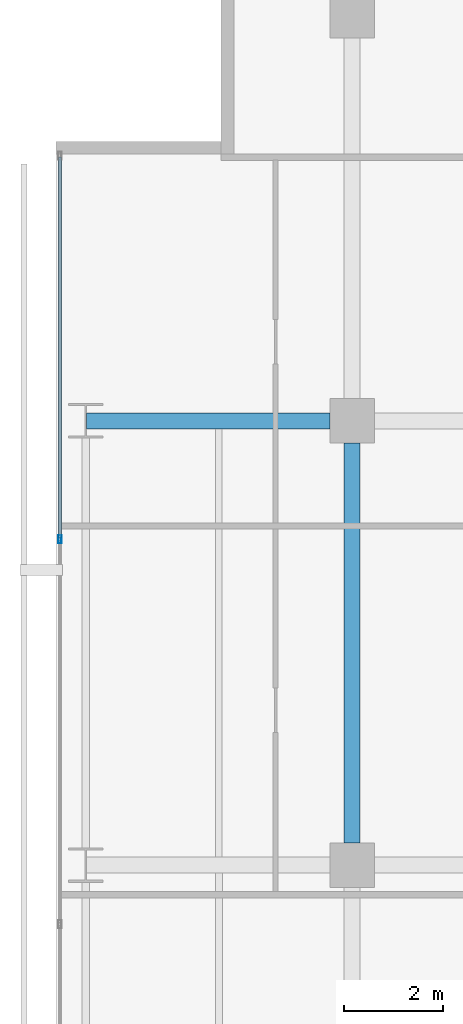
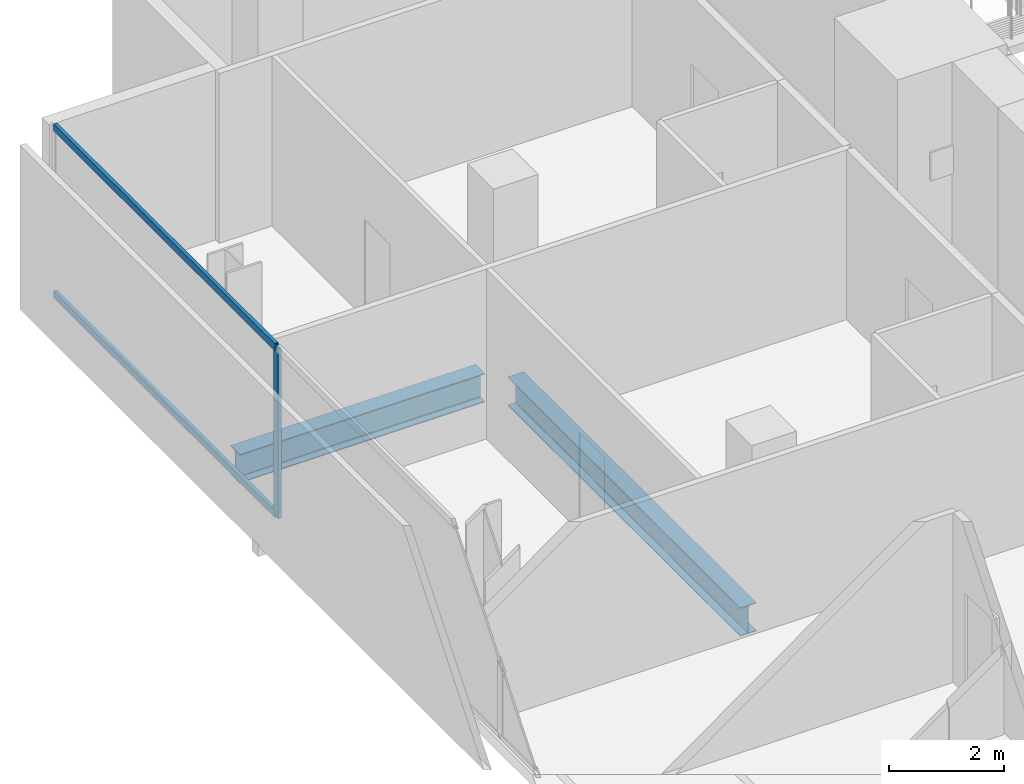
# One storey, part 23 of 40: 3 members, 2 beams, 1 element without a shape of its own.
"""IFC4 building model written with IfcOpenShell, lengths in metres."""

from ifc_helpers import new_model, si_unit, direction, frame, origin, origin_2d, place, context, subcontext, project, spatial, hollow_rectangle, i_section, extrude, material, layer, layer_set, material_profile, profile_set, type_object, element, aggregate, save


model = new_model("IFC4")

# Units and contexts
model_context = context("Model", 3, precision=1e-05, world=origin(), true_north=direction((0.0, 1.0)))
body_context = subcontext(model_context, "Body", "Model", "MODEL_VIEW")
ifc_project = project(units=[si_unit("LENGTHUNIT", "METRE"), si_unit("AREAUNIT", "SQUARE_METRE"), si_unit("VOLUMEUNIT", "CUBIC_METRE"), si_unit("PLANEANGLEUNIT", "RADIAN"), si_unit("MASSUNIT", "GRAM", prefix="KILO")], contexts=[model_context])

# Site, building, storey
site_placement = place(None, origin())
site = spatial("IfcSite", under=ifc_project, at=site_placement, CompositionType="ELEMENT")
building_placement = place(site_placement, origin())
building = spatial("IfcBuilding", under=site, at=building_placement, Name="Maruvema Waterfront Hotel and Observation Tower", CompositionType="ELEMENT")
storey_placement = place(building_placement, frame((0.0, 0.0, 100.10009765625)))
storey = spatial("IfcBuildingStorey", under=building, at=storey_placement, Name="L24", CompositionType="ELEMENT", Elevation=100.10009765625)

# Curtain wall, members
ifc_material_1 = material(Name="Anodised bronze aluminium and solar-control low-E IGU", Category="aluminium")
ifc_layer = layer(ifc_material_1, 0.159912109375, Name="Zone 1 Bronze Inner Thermal Curtain Wall System CW-02")
ifc_layer_set = layer_set([ifc_layer], Name="Anodised bronze aluminium and solar-control low-E IGU")
curtain_wall_type = type_object("IfcCurtainWallType", Name="Zone 1 Bronze Inner Thermal Curtain Wall System CW-02", PredefinedType="USERDEFINED", material=ifc_layer_set)
curtain_wall_placement = place(storey_placement, origin())
curtain_wall = element("IfcCurtainWall", 1, at=curtain_wall_placement, inside=storey, type_object=curtain_wall_type, Name="L24 Curtain Wall CW-L24-W", ObjectType="UNITISED CURTAIN WALL", PredefinedType="USERDEFINED")
ifc_material_2 = material(Name="Anodised architectural bronze aluminium", Category="aluminium")
ifc_material_profile_1 = material_profile(ifc_material_2, hollow_rectangle(XDim=0.070068359375, YDim=0.14990234375, WallThickness=0.00390625, at=origin_2d()), Name="ALU-T70x150")
ifc_profile_set_1 = profile_set([ifc_material_profile_1], Name="Anodised architectural bronze aluminium")
member_type_1 = type_object("IfcMemberType", Name="Curtain Wall Horizontal Transom ALU-T70x150", PredefinedType="USERDEFINED", material=ifc_profile_set_1)
member_1_placement = place(storey_placement, frame((10.8798828125, 50.340087890625, 0.02978515625), z_axis=(0.0, -1.0, 0.0), x_axis=(1.0, 0.0, 0.0)))
member_1 = element("IfcMember", 2, at=member_1_placement, type_object=member_type_1, Name="CW-02 transom 1.1", ObjectType="TRANSOM", PredefinedType="USERDEFINED", context=body_context, shape_type="SweptSolid", body=[
    extrude(hollow_rectangle(XDim=0.070068359375, YDim=0.14990234375, WallThickness=0.00390625, at=origin_2d()), origin(), (0.0, 0.0, 1.0), 7.710205078125),
])
member_2_placement = place(storey_placement, frame((10.8798828125, 50.340087890625, 3.579833984375), z_axis=(0.0, -1.0, 0.0), x_axis=(1.0, 0.0, 0.0)))
member_2 = element("IfcMember", 3, at=member_2_placement, type_object=member_type_1, Name="CW-02 transom 1.2", ObjectType="TRANSOM", PredefinedType="USERDEFINED", context=body_context, shape_type="SweptSolid", body=[
    extrude(hollow_rectangle(XDim=0.070068359375, YDim=0.14990234375, WallThickness=0.00390625, at=origin_2d()), origin(), (0.0, 0.0, 1.0), 7.710205078125),
])
ifc_material_3 = material(Name="Anodised architectural bronze aluminium", Category="aluminium")
ifc_material_profile_2 = material_profile(ifc_material_3, hollow_rectangle(XDim=0.06494140625, YDim=0.1650390625, WallThickness=0.00390625, at=origin_2d()), Name="ALU-M65x165")
ifc_profile_set_2 = profile_set([ifc_material_profile_2], Name="Anodised architectural bronze aluminium")
member_type_2 = type_object("IfcMemberType", Name="Curtain Wall Primary Mullion ALU-M65x165", PredefinedType="MULLION", material=ifc_profile_set_2)
member_3_placement = place(storey_placement, frame((10.8798828125, 42.60009765625, 0.0), z_axis=(0.0, 0.0, 1.0), x_axis=(1.0, 0.0, 0.0)))
member_3 = element("IfcMember", 4, at=member_3_placement, type_object=member_type_2, Name="CW-02 mullion 2", PredefinedType="MULLION", context=body_context, shape_type="SweptSolid", body=[
    extrude(hollow_rectangle(XDim=0.06494140625, YDim=0.1650390625, WallThickness=0.00390625, at=origin_2d()), origin(), (0.0, 0.0, 1.0), 3.60986328125),
])
aggregate(curtain_wall, [member_3, member_1, member_2])

# Beams
ifc_material_4 = material(Name="Steel ASTM A572 Grade 50", Category="steel")
ifc_material_profile_3 = material_profile(ifc_material_4, i_section(OverallWidth=0.323974609375, OverallDepth=0.611083984375, WebThickness=0.0126953125, FlangeThickness=0.01904296875, FilletRadius=0.01806640625, at=origin_2d()), Name="W610x155.0")
ifc_profile_set_3 = profile_set([ifc_material_profile_3], Name="Steel ASTM A572 Grade 50")
beam_type = type_object("IfcBeamType", Name="Primary Floor Girder W610x155.0", PredefinedType="BEAM", material=ifc_profile_set_3)
beam_1_placement = place(storey_placement, frame((11.4140625, 45.0, -0.545654296875), z_axis=(1.0, 0.0, 0.0), x_axis=(0.0, 1.0, 0.0)))
element("IfcBeam", 5, at=beam_1_placement, inside=storey, type_object=beam_type, Name="L24 Floor Girder EW-32", PredefinedType="BEAM", context=body_context, shape_type="SweptSolid", body=[
    extrude(i_section(OverallWidth=0.323974609375, OverallDepth=0.611083984375, WebThickness=0.0126953125, FlangeThickness=0.01904296875, FilletRadius=0.01806640625, at=origin_2d()), origin(), (0.0, 0.0, 1.0), 4.93603515625),
])
beam_2_placement = place(storey_placement, frame((16.800048828125, 36.449951171875, -0.545654296875), z_axis=(0.0, 1.0, 0.0), x_axis=(-1.0, 0.0, 0.0)))
element("IfcBeam", 6, at=beam_2_placement, inside=storey, type_object=beam_type, Name="L24 Floor Girder NS-09", PredefinedType="BEAM", context=body_context, shape_type="SweptSolid", body=[
    extrude(i_section(OverallWidth=0.323974609375, OverallDepth=0.611083984375, WebThickness=0.0126953125, FlangeThickness=0.01904296875, FilletRadius=0.01806640625, at=origin_2d()), origin(), (0.0, 0.0, 1.0), 8.10009765625),
])

save(model, "model.ifc")
